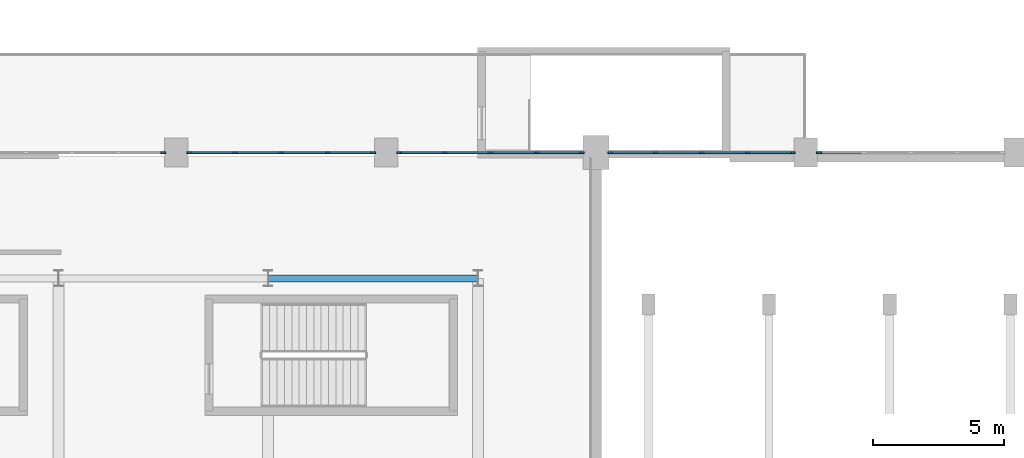
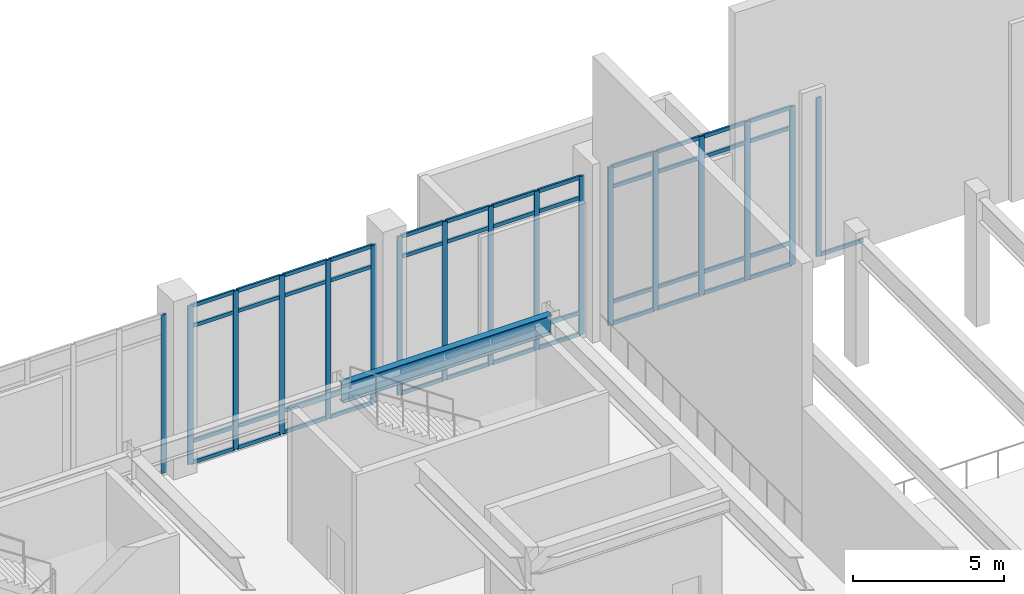
# One storey, part 41 of 84: 66 members, 1 beam, 5 elements without a shape of their own.
"""IFC4 building model written with IfcOpenShell, lengths in metres."""

import ifcopenshell
import ifcopenshell.guid

model = None  # the IFC model being written
_history = None  # IfcOwnerHistory: only IFC2X3 demands one
_inside = {}  # id of a spatial element -> (the spatial element, [elements in it])
_under = {}  # id of a project, library or spatial element -> (it, [spatial elements below it])
_declared = {}  # id of a project -> (the project, [libraries it declares])
_typed = {}  # id of a type object -> (the type object, [elements of that type])
_made_of = {}  # id of a material, layer set ... -> (it, [elements and type objects made of it])


def new_model(schema):
    """Start an empty IFC model of exactly this schema.

    Asked for "IFC4X3", IfcOpenShell would pick the latest addendum, in which some entities
    have other attributes; the version numbers below select the first issue.
    IFC2X3 requires an IfcOwnerHistory on every rooted entity: one is made here for all.
    """
    global model, _history
    if schema == "IFC4X3":
        model = ifcopenshell.file(schema_version=(4, 3, 0, 0))
    else:
        model = ifcopenshell.file(schema=schema)
    _inside.clear()
    _under.clear()
    _declared.clear()
    _typed.clear()
    _made_of.clear()
    _history = None
    if model.schema == "IFC2X3":
        org = make("IfcOrganization", Name="unknown")
        user = make(
            "IfcPersonAndOrganization",
            ThePerson=make("IfcPerson", FamilyName="unknown"),
            TheOrganization=org,
        )
        app = make(
            "IfcApplication",
            ApplicationDeveloper=org,
            Version="unknown",
            ApplicationFullName="unknown",
            ApplicationIdentifier="unknown",
        )
        _history = make(
            "IfcOwnerHistory",
            OwningUser=user,
            OwningApplication=app,
            ChangeAction="ADDED",
            CreationDate=0,
        )
    return model


def make(cls, **values):
    """One entity of the class cls with the attributes given. An attribute that is None is left unset."""
    return model.create_entity(
        cls, **{name: value for name, value in values.items() if value is not None}
    )


def rooted(cls, **values):
    """An entity with a GlobalId (a new one), such as an element, a storey or a relation."""
    return make(cls, GlobalId=ifcopenshell.guid.new(), OwnerHistory=_history, **values)


def si_unit(unit_type, name, prefix=None):
    """IfcSIUnit, for example si_unit("LENGTHUNIT", "METRE", prefix="MILLI")."""
    return make("IfcSIUnit", UnitType=unit_type, Prefix=prefix, Name=name)


def assignment(units):
    """IfcUnitAssignment: the units of a project."""
    return None if units is None else make("IfcUnitAssignment", Units=units)


def point(xyz):
    """IfcCartesianPoint."""
    return None if xyz is None else make("IfcCartesianPoint", Coordinates=xyz)


def direction(xyz):
    """IfcDirection."""
    return None if xyz is None else make("IfcDirection", DirectionRatios=xyz)


def frame(location, z_axis=None, x_axis=None):
    """IfcAxis2Placement3D, a coordinate frame: its origin and axes. An axis left out is left unset."""
    return make(
        "IfcAxis2Placement3D",
        Location=point(location),
        Axis=direction(z_axis),
        RefDirection=direction(x_axis),
    )


def frame_2d(location, x_axis=None):
    """IfcAxis2Placement2D, a coordinate frame in the plane: its origin and x axis."""
    return make(
        "IfcAxis2Placement2D", Location=point(location), RefDirection=direction(x_axis)
    )


def origin():
    """The frame at (0, 0, 0) with its axes left unset."""
    return frame((0.0, 0.0, 0.0))


def origin_2d():
    """The frame at (0, 0) in the plane with its x axis left unset."""
    return frame_2d((0.0, 0.0))


def place(relative_to, where):
    """IfcLocalPlacement: puts the frame where relative to a parent placement (None: the world)."""
    return make(
        "IfcLocalPlacement", PlacementRelTo=relative_to, RelativePlacement=where
    )


def context(
    kind, dimensions, precision=None, world=None, true_north=None, identifier=None
):
    """IfcGeometricRepresentationContext, for example the 3D "Model" context."""
    return make(
        "IfcGeometricRepresentationContext",
        ContextIdentifier=identifier,
        ContextType=kind,
        CoordinateSpaceDimension=dimensions,
        Precision=precision,
        WorldCoordinateSystem=world,
        TrueNorth=true_north,
    )


def subcontext(parent, identifier, kind, view, scale=None):
    """IfcGeometricRepresentationSubContext, for example "Body" below "Model"."""
    return make(
        "IfcGeometricRepresentationSubContext",
        ContextIdentifier=identifier,
        ContextType=kind,
        ParentContext=parent,
        TargetScale=scale,
        TargetView=view,
    )


def project(units=None, contexts=None):
    """IfcProject with its units and contexts."""
    return rooted(
        "IfcProject",
        Name="project",
        RepresentationContexts=contexts,
        UnitsInContext=assignment(units),
    )


def spatial(cls, under=None, at=None, **own):
    """A site, building, storey or space (cls), placed at a placement, below another one or the project."""
    s = rooted(cls, ObjectPlacement=at, **own)
    if under is not None:
        _under.setdefault(under.id(), (under, []))[1].append(s)
    return s


def profile(cls, at=None, kind="AREA", **sizes):
    """A parametric profile (cls). Its sizes go by their IFC names, for example OverallWidth=200.0."""
    return make(cls, ProfileType=kind, Position=at, **sizes)


def rectangle(**sizes):
    """IfcRectangleProfileDef."""
    return profile("IfcRectangleProfileDef", **sizes)


def i_section(**sizes):
    """IfcIShapeProfileDef."""
    return profile("IfcIShapeProfileDef", **sizes)


def extrude(swept, where, along, depth):
    """IfcExtrudedAreaSolid: the profile swept, set in the frame where, extruded along a direction by depth."""
    return make(
        "IfcExtrudedAreaSolid",
        SweptArea=swept,
        Position=where,
        ExtrudedDirection=direction(along),
        Depth=depth,
    )


def shape(context_of_items, identifier, shape_type, items):
    """IfcShapeRepresentation: the items that make up one representation, for example the "Body"."""
    return make(
        "IfcShapeRepresentation",
        ContextOfItems=context_of_items,
        RepresentationIdentifier=identifier,
        RepresentationType=shape_type,
        Items=items,
    )


def material(Name=None, Category=None):
    """IfcMaterial."""
    return make("IfcMaterial", Name=Name, Category=Category)


def layer(
    of_material, thickness, ventilated=None, Name=None, Category=None, Priority=None
):
    """IfcMaterialLayer: one layer of a wall or slab, of a material (None: an air gap)."""
    return make(
        "IfcMaterialLayer",
        Material=of_material,
        LayerThickness=thickness,
        IsVentilated=ventilated,
        Name=Name,
        Category=Category,
        Priority=Priority,
    )


def layer_set(layers, Name=None):
    """IfcMaterialLayerSet."""
    return make("IfcMaterialLayerSet", MaterialLayers=layers, LayerSetName=Name)


def material_profile(
    of_material, cross_section, Name=None, Category=None, Priority=None
):
    """IfcMaterialProfile: a cross section and its material."""
    return make(
        "IfcMaterialProfile",
        Name=Name,
        Material=of_material,
        Profile=cross_section,
        Priority=Priority,
        Category=Category,
    )


def profile_set(profiles, Name=None, composite=None):
    """IfcMaterialProfileSet."""
    return make(
        "IfcMaterialProfileSet",
        Name=Name,
        MaterialProfiles=profiles,
        CompositeProfile=composite,
    )


def made_of(thing, what):
    """Note that an element or type object is made of a material, layer set ...; save() writes the relation."""
    if what is not None:
        _made_of.setdefault(what.id(), (what, []))[1].append(thing)
    return thing


def type_object(cls, material=None, **own):
    """A type object (cls), such as IfcWallType, which elements share."""
    return made_of(rooted(cls, **own), material)


def element(
    cls,
    number,
    at=None,
    inside=None,
    cuts=None,
    type_object=None,
    material=None,
    context=None,
    identifier="Body",
    shape_type=None,
    held_by="IfcProductDefinitionShape",
    body=None,
    shapes=None,
    **own,
):
    """One element of the class cls, such as IfcWall. Its Tag is "e" and its number.

    at: its placement. inside: the storey or other place that contains it. cuts: it is an
    opening in that element (IfcRelVoidsElement). A single representation is given by context,
    identifier, shape_type and body (its items); several are given by shapes. held_by: the class
    of the entity that holds the representations. save() writes the other relations.
    """
    e = rooted(cls, Tag="e%d" % number, ObjectPlacement=at, **own)
    if body is not None:
        shapes = [shape(context, identifier, shape_type, body)]
    if shapes is not None:
        e.Representation = make(held_by, Representations=shapes)
    if inside is not None:
        _inside.setdefault(inside.id(), (inside, []))[1].append(e)
    if cuts is not None:
        rooted(
            "IfcRelVoidsElement", RelatingBuildingElement=cuts, RelatedOpeningElement=e
        )
    if type_object is not None:
        _typed.setdefault(type_object.id(), (type_object, []))[1].append(e)
    return made_of(e, material)


def aggregate(whole, parts):
    """IfcRelAggregates: a whole, such as a stair, and the parts it consists of."""
    return rooted("IfcRelAggregates", RelatingObject=whole, RelatedObjects=parts)


def save(model, path):
    """Write the relations noted so far, then the file.

    IfcRelAggregates (storeys below a building ...), IfcRelContainedInSpatialStructure (elements
    in a storey), IfcRelDefinesByType, IfcRelAssociatesMaterial and IfcRelDeclares: one each for
    every whole, place, type object, material and project.
    """
    for whole, parts in _under.values():
        aggregate(whole, parts)
    for where, things in _inside.values():
        rooted(
            "IfcRelContainedInSpatialStructure",
            RelatedElements=things,
            RelatingStructure=where,
        )
    for kind, things in _typed.values():
        rooted("IfcRelDefinesByType", RelatedObjects=things, RelatingType=kind)
    for what, things in _made_of.values():
        rooted("IfcRelAssociatesMaterial", RelatedObjects=things, RelatingMaterial=what)
    for by, libraries in _declared.values():
        rooted("IfcRelDeclares", RelatingContext=by, RelatedDefinitions=libraries)
    model.write(path)


model = new_model("IFC4")

# Units and contexts
model_context = context("Model", 3, precision=1e-05, world=origin(), true_north=direction((0.0, 1.0)))
body_context = subcontext(model_context, "Body", "Model", "MODEL_VIEW")
ifc_project = project(units=[si_unit("LENGTHUNIT", "METRE"), si_unit("AREAUNIT", "SQUARE_METRE"), si_unit("VOLUMEUNIT", "CUBIC_METRE"), si_unit("PLANEANGLEUNIT", "RADIAN"), si_unit("MASSUNIT", "GRAM", prefix="KILO")], contexts=[model_context])

# Site, building, storey
site_placement = place(None, origin())
site = spatial("IfcSite", under=ifc_project, at=site_placement, CompositionType="ELEMENT")
building_placement = place(site_placement, origin())
building = spatial("IfcBuilding", under=site, at=building_placement, Name="Tlacozan Convention Centre", CompositionType="ELEMENT")
storey_placement = place(building_placement, frame((0.0, 0.0, 6.0)))
storey = spatial("IfcBuildingStorey", under=building, at=storey_placement, Name="L01", CompositionType="ELEMENT", Elevation=6.0)

# Curtain wall, member
ifc_material_1 = material(Name="Dark Bronze Anodised Aluminium", Category="aluminium")
ifc_layer = layer(ifc_material_1, 0.199951171875)
ifc_layer_set = layer_set([ifc_layer], Name="Dark Bronze Anodised Aluminium")
curtain_wall_type = type_object("IfcCurtainWallType", Name="Exhibition Clerestory Curtain Wall CW10", PredefinedType="NOTDEFINED", material=ifc_layer_set)
curtain_wall_1_placement = place(storey_placement, origin())
curtain_wall_1 = element("IfcCurtainWall", 1, at=curtain_wall_1_placement, inside=storey, type_object=curtain_wall_type, Name="L01 CW-10 Run 24", PredefinedType="NOTDEFINED")
ifc_material_profile_1 = material_profile(ifc_material_1, rectangle(XDim=0.074951171875, YDim=0.199951171875, at=origin_2d()), Name="ALU 75x200")
ifc_profile_set_1 = profile_set([ifc_material_profile_1], Name="Dark Bronze Anodised Aluminium")
member_type_1 = type_object("IfcMemberType", Name="Curtain Wall Heavy Mullion 75x200", PredefinedType="MULLION", material=ifc_profile_set_1)
member_1_placement = place(storey_placement, frame((127.49755859375, 62.0, 0.0), z_axis=(0.0, 0.0, 1.0), x_axis=(0.0, 1.0, 0.0)))
member_1 = element("IfcMember", 2, at=member_1_placement, type_object=member_type_1, Name="CW-10 mullion 5", PredefinedType="MULLION", context=body_context, shape_type="SweptSolid", body=[
    extrude(rectangle(XDim=0.074951171875, YDim=0.199951171875, at=origin_2d()), origin(), (0.0, 0.0, 1.0), 6.39990234375),
])
aggregate(curtain_wall_1, [member_1])

# Curtain wall, members
curtain_wall_2_placement = place(storey_placement, origin())
curtain_wall_2 = element("IfcCurtainWall", 3, at=curtain_wall_2_placement, inside=storey, type_object=curtain_wall_type, Name="L01 CW-10 Run 25", PredefinedType="NOTDEFINED")
member_2_placement = place(storey_placement, frame((128.50244140625, 62.0, 0.0), z_axis=(0.0, 0.0, 1.0), x_axis=(0.0, 1.0, 0.0)))
member_2 = element("IfcMember", 4, at=member_2_placement, type_object=member_type_1, Name="CW-10 mullion 1", PredefinedType="MULLION", context=body_context, shape_type="SweptSolid", body=[
    extrude(rectangle(XDim=0.074951171875, YDim=0.199951171875, at=origin_2d()), origin(), (0.0, 0.0, 1.0), 6.39990234375),
])
member_3_placement = place(storey_placement, frame((130.232421875, 62.0, 0.0), z_axis=(0.0, 0.0, 1.0), x_axis=(0.0, 1.0, 0.0)))
member_3 = element("IfcMember", 5, at=member_3_placement, type_object=member_type_1, Name="CW-10 mullion 2", PredefinedType="MULLION", context=body_context, shape_type="SweptSolid", body=[
    extrude(rectangle(XDim=0.074951171875, YDim=0.199951171875, at=origin_2d()), origin(), (0.0, 0.0, 1.0), 6.39990234375),
])
member_4_placement = place(storey_placement, frame((132.0, 62.0, 0.0), z_axis=(0.0, 0.0, 1.0), x_axis=(0.0, 1.0, 0.0)))
member_4 = element("IfcMember", 6, at=member_4_placement, type_object=member_type_1, Name="CW-10 mullion 3", PredefinedType="MULLION", context=body_context, shape_type="SweptSolid", body=[
    extrude(rectangle(XDim=0.074951171875, YDim=0.199951171875, at=origin_2d()), origin(), (0.0, 0.0, 1.0), 6.39990234375),
])
member_5_placement = place(storey_placement, frame((133.767578125, 62.0, 0.0), z_axis=(0.0, 0.0, 1.0), x_axis=(0.0, 1.0, 0.0)))
member_5 = element("IfcMember", 7, at=member_5_placement, type_object=member_type_1, Name="CW-10 mullion 4", PredefinedType="MULLION", context=body_context, shape_type="SweptSolid", body=[
    extrude(rectangle(XDim=0.074951171875, YDim=0.199951171875, at=origin_2d()), origin(), (0.0, 0.0, 1.0), 6.39990234375),
])
member_6_placement = place(storey_placement, frame((135.49755859375, 62.0, 0.0), z_axis=(0.0, 0.0, 1.0), x_axis=(0.0, 1.0, 0.0)))
member_6 = element("IfcMember", 8, at=member_6_placement, type_object=member_type_1, Name="CW-10 mullion 5", PredefinedType="MULLION", context=body_context, shape_type="SweptSolid", body=[
    extrude(rectangle(XDim=0.074951171875, YDim=0.199951171875, at=origin_2d()), origin(), (0.0, 0.0, 1.0), 6.39990234375),
])

curtain_wall_3_placement = place(storey_placement, origin())
curtain_wall_3 = element("IfcCurtainWall", 9, at=curtain_wall_3_placement, inside=storey, type_object=curtain_wall_type, Name="L01 CW-10 Run 26", PredefinedType="NOTDEFINED")
member_7_placement = place(storey_placement, frame((136.50244140625, 62.0, 0.0), z_axis=(0.0, 0.0, 1.0), x_axis=(0.0, 1.0, 0.0)))
member_7 = element("IfcMember", 10, at=member_7_placement, type_object=member_type_1, Name="CW-10 mullion 1", PredefinedType="MULLION", context=body_context, shape_type="SweptSolid", body=[
    extrude(rectangle(XDim=0.074951171875, YDim=0.199951171875, at=origin_2d()), origin(), (0.0, 0.0, 1.0), 6.39990234375),
])
member_8_placement = place(storey_placement, frame((138.219970703125, 62.0, 0.0), z_axis=(0.0, 0.0, 1.0), x_axis=(0.0, 1.0, 0.0)))
member_8 = element("IfcMember", 11, at=member_8_placement, type_object=member_type_1, Name="CW-10 mullion 2", PredefinedType="MULLION", context=body_context, shape_type="SweptSolid", body=[
    extrude(rectangle(XDim=0.074951171875, YDim=0.199951171875, at=origin_2d()), origin(), (0.0, 0.0, 1.0), 6.39990234375),
])
member_9_placement = place(storey_placement, frame((139.97509765625, 62.0, 0.0), z_axis=(0.0, 0.0, 1.0), x_axis=(0.0, 1.0, 0.0)))
member_9 = element("IfcMember", 12, at=member_9_placement, type_object=member_type_1, Name="CW-10 mullion 3", PredefinedType="MULLION", context=body_context, shape_type="SweptSolid", body=[
    extrude(rectangle(XDim=0.074951171875, YDim=0.199951171875, at=origin_2d()), origin(), (0.0, 0.0, 1.0), 6.39990234375),
])
member_10_placement = place(storey_placement, frame((141.72998046875, 62.0, 0.0), z_axis=(0.0, 0.0, 1.0), x_axis=(0.0, 1.0, 0.0)))
member_10 = element("IfcMember", 13, at=member_10_placement, type_object=member_type_1, Name="CW-10 mullion 4", PredefinedType="MULLION", context=body_context, shape_type="SweptSolid", body=[
    extrude(rectangle(XDim=0.074951171875, YDim=0.199951171875, at=origin_2d()), origin(), (0.0, 0.0, 1.0), 6.39990234375),
])
member_11_placement = place(storey_placement, frame((143.447509765625, 62.0, 0.0), z_axis=(0.0, 0.0, 1.0), x_axis=(0.0, 1.0, 0.0)))
member_11 = element("IfcMember", 14, at=member_11_placement, type_object=member_type_1, Name="CW-10 mullion 5", PredefinedType="MULLION", context=body_context, shape_type="SweptSolid", body=[
    extrude(rectangle(XDim=0.074951171875, YDim=0.199951171875, at=origin_2d()), origin(), (0.0, 0.0, 1.0), 6.39990234375),
])

curtain_wall_4_placement = place(storey_placement, origin())
curtain_wall_4 = element("IfcCurtainWall", 15, at=curtain_wall_4_placement, inside=storey, type_object=curtain_wall_type, Name="L01 CW-10 Run 27", PredefinedType="NOTDEFINED")
member_12_placement = place(storey_placement, frame((144.552490234375, 62.0, 0.0), z_axis=(0.0, 0.0, 1.0), x_axis=(0.0, 1.0, 0.0)))
member_12 = element("IfcMember", 16, at=member_12_placement, type_object=member_type_1, Name="CW-10 mullion 1", PredefinedType="MULLION", context=body_context, shape_type="SweptSolid", body=[
    extrude(rectangle(XDim=0.074951171875, YDim=0.199951171875, at=origin_2d()), origin(), (0.0, 0.0, 1.0), 6.39990234375),
])
member_13_placement = place(storey_placement, frame((146.27001953125, 62.0, 0.0), z_axis=(0.0, 0.0, 1.0), x_axis=(0.0, 1.0, 0.0)))
member_13 = element("IfcMember", 17, at=member_13_placement, type_object=member_type_1, Name="CW-10 mullion 2", PredefinedType="MULLION", context=body_context, shape_type="SweptSolid", body=[
    extrude(rectangle(XDim=0.074951171875, YDim=0.199951171875, at=origin_2d()), origin(), (0.0, 0.0, 1.0), 6.39990234375),
])
member_14_placement = place(storey_placement, frame((148.02490234375, 62.0, 0.0), z_axis=(0.0, 0.0, 1.0), x_axis=(0.0, 1.0, 0.0)))
member_14 = element("IfcMember", 18, at=member_14_placement, type_object=member_type_1, Name="CW-10 mullion 3", PredefinedType="MULLION", context=body_context, shape_type="SweptSolid", body=[
    extrude(rectangle(XDim=0.074951171875, YDim=0.199951171875, at=origin_2d()), origin(), (0.0, 0.0, 1.0), 6.39990234375),
])
member_15_placement = place(storey_placement, frame((149.780029296875, 62.0, 0.0), z_axis=(0.0, 0.0, 1.0), x_axis=(0.0, 1.0, 0.0)))
member_15 = element("IfcMember", 19, at=member_15_placement, type_object=member_type_1, Name="CW-10 mullion 4", PredefinedType="MULLION", context=body_context, shape_type="SweptSolid", body=[
    extrude(rectangle(XDim=0.074951171875, YDim=0.199951171875, at=origin_2d()), origin(), (0.0, 0.0, 1.0), 6.39990234375),
])
member_16_placement = place(storey_placement, frame((151.49755859375, 62.0, 0.0), z_axis=(0.0, 0.0, 1.0), x_axis=(0.0, 1.0, 0.0)))
member_16 = element("IfcMember", 20, at=member_16_placement, type_object=member_type_1, Name="CW-10 mullion 5", PredefinedType="MULLION", context=body_context, shape_type="SweptSolid", body=[
    extrude(rectangle(XDim=0.074951171875, YDim=0.199951171875, at=origin_2d()), origin(), (0.0, 0.0, 1.0), 6.39990234375),
])

# Curtain wall, member
curtain_wall_5_placement = place(storey_placement, origin())
curtain_wall_5 = element("IfcCurtainWall", 21, at=curtain_wall_5_placement, inside=storey, type_object=curtain_wall_type, Name="L01 CW-10 Run 28", PredefinedType="NOTDEFINED")
member_17_placement = place(storey_placement, frame((152.50244140625, 62.0, 0.0), z_axis=(0.0, 0.0, 1.0), x_axis=(0.0, 1.0, 0.0)))
member_17 = element("IfcMember", 22, at=member_17_placement, type_object=member_type_1, Name="CW-10 mullion 1", PredefinedType="MULLION", context=body_context, shape_type="SweptSolid", body=[
    extrude(rectangle(XDim=0.074951171875, YDim=0.199951171875, at=origin_2d()), origin(), (0.0, 0.0, 1.0), 6.39990234375),
])

# Member
ifc_material_profile_2 = material_profile(ifc_material_1, rectangle(XDim=0.074951171875, YDim=0.14990234375, at=origin_2d()), Name="ALU 75x150")
ifc_profile_set_2 = profile_set([ifc_material_profile_2], Name="Dark Bronze Anodised Aluminium")
member_type_2 = type_object("IfcMemberType", Name="Curtain Wall Heavy Transom 75x150", PredefinedType="USERDEFINED", material=ifc_profile_set_2)
member_18_placement = place(storey_placement, frame((128.5400390625, 62.0, 0.03759765625), z_axis=(1.0, 0.0, 0.0), x_axis=(0.0, 1.0, 0.0)))
member_18 = element("IfcMember", 23, at=member_18_placement, type_object=member_type_2, Name="CW-10 transom 1.1", ObjectType="TRANSOM", PredefinedType="USERDEFINED", context=body_context, shape_type="SweptSolid", body=[
    extrude(rectangle(XDim=0.074951171875, YDim=0.14990234375, at=origin_2d()), origin(), (0.0, 0.0, 1.0), 1.655029296875),
])

member_19_placement = place(storey_placement, frame((128.5400390625, 62.0, 0.89990234375), z_axis=(1.0, 0.0, 0.0), x_axis=(0.0, 1.0, 0.0)))
member_19 = element("IfcMember", 24, at=member_19_placement, type_object=member_type_2, Name="CW-10 transom 1.2", ObjectType="TRANSOM", PredefinedType="USERDEFINED", context=body_context, shape_type="SweptSolid", body=[
    extrude(rectangle(XDim=0.074951171875, YDim=0.14990234375, at=origin_2d()), origin(), (0.0, 0.0, 1.0), 1.655029296875),
])

member_20_placement = place(storey_placement, frame((128.5400390625, 62.0, 5.550048828125), z_axis=(1.0, 0.0, 0.0), x_axis=(0.0, 1.0, 0.0)))
member_20 = element("IfcMember", 25, at=member_20_placement, type_object=member_type_2, Name="CW-10 transom 1.3", ObjectType="TRANSOM", PredefinedType="USERDEFINED", context=body_context, shape_type="SweptSolid", body=[
    extrude(rectangle(XDim=0.074951171875, YDim=0.14990234375, at=origin_2d()), origin(), (0.0, 0.0, 1.0), 1.655029296875),
])

member_21_placement = place(storey_placement, frame((128.5400390625, 62.0, 6.362548828125), z_axis=(1.0, 0.0, 0.0), x_axis=(0.0, 1.0, 0.0)))
member_21 = element("IfcMember", 26, at=member_21_placement, type_object=member_type_2, Name="CW-10 transom 1.4", ObjectType="TRANSOM", PredefinedType="USERDEFINED", context=body_context, shape_type="SweptSolid", body=[
    extrude(rectangle(XDim=0.074951171875, YDim=0.14990234375, at=origin_2d()), origin(), (0.0, 0.0, 1.0), 1.655029296875),
])

member_22_placement = place(storey_placement, frame((130.27001953125, 62.0, 0.03759765625), z_axis=(1.0, 0.0, 0.0), x_axis=(0.0, 1.0, 0.0)))
member_22 = element("IfcMember", 27, at=member_22_placement, type_object=member_type_2, Name="CW-10 transom 2.1", ObjectType="TRANSOM", PredefinedType="USERDEFINED", context=body_context, shape_type="SweptSolid", body=[
    extrude(rectangle(XDim=0.074951171875, YDim=0.14990234375, at=origin_2d()), origin(), (0.0, 0.0, 1.0), 1.6923828125),
])

member_23_placement = place(storey_placement, frame((130.27001953125, 62.0, 0.89990234375), z_axis=(1.0, 0.0, 0.0), x_axis=(0.0, 1.0, 0.0)))
member_23 = element("IfcMember", 28, at=member_23_placement, type_object=member_type_2, Name="CW-10 transom 2.2", ObjectType="TRANSOM", PredefinedType="USERDEFINED", context=body_context, shape_type="SweptSolid", body=[
    extrude(rectangle(XDim=0.074951171875, YDim=0.14990234375, at=origin_2d()), origin(), (0.0, 0.0, 1.0), 1.6923828125),
])

member_24_placement = place(storey_placement, frame((130.27001953125, 62.0, 5.550048828125), z_axis=(1.0, 0.0, 0.0), x_axis=(0.0, 1.0, 0.0)))
member_24 = element("IfcMember", 29, at=member_24_placement, type_object=member_type_2, Name="CW-10 transom 2.3", ObjectType="TRANSOM", PredefinedType="USERDEFINED", context=body_context, shape_type="SweptSolid", body=[
    extrude(rectangle(XDim=0.074951171875, YDim=0.14990234375, at=origin_2d()), origin(), (0.0, 0.0, 1.0), 1.6923828125),
])

member_25_placement = place(storey_placement, frame((130.27001953125, 62.0, 6.362548828125), z_axis=(1.0, 0.0, 0.0), x_axis=(0.0, 1.0, 0.0)))
member_25 = element("IfcMember", 30, at=member_25_placement, type_object=member_type_2, Name="CW-10 transom 2.4", ObjectType="TRANSOM", PredefinedType="USERDEFINED", context=body_context, shape_type="SweptSolid", body=[
    extrude(rectangle(XDim=0.074951171875, YDim=0.14990234375, at=origin_2d()), origin(), (0.0, 0.0, 1.0), 1.6923828125),
])

member_26_placement = place(storey_placement, frame((132.03759765625, 62.0, 0.03759765625), z_axis=(1.0, 0.0, 0.0), x_axis=(0.0, 1.0, 0.0)))
member_26 = element("IfcMember", 31, at=member_26_placement, type_object=member_type_2, Name="CW-10 transom 3.1", ObjectType="TRANSOM", PredefinedType="USERDEFINED", context=body_context, shape_type="SweptSolid", body=[
    extrude(rectangle(XDim=0.074951171875, YDim=0.14990234375, at=origin_2d()), origin(), (0.0, 0.0, 1.0), 1.6923828125),
])

member_27_placement = place(storey_placement, frame((132.03759765625, 62.0, 0.89990234375), z_axis=(1.0, 0.0, 0.0), x_axis=(0.0, 1.0, 0.0)))
member_27 = element("IfcMember", 32, at=member_27_placement, type_object=member_type_2, Name="CW-10 transom 3.2", ObjectType="TRANSOM", PredefinedType="USERDEFINED", context=body_context, shape_type="SweptSolid", body=[
    extrude(rectangle(XDim=0.074951171875, YDim=0.14990234375, at=origin_2d()), origin(), (0.0, 0.0, 1.0), 1.6923828125),
])

member_28_placement = place(storey_placement, frame((132.03759765625, 62.0, 5.550048828125), z_axis=(1.0, 0.0, 0.0), x_axis=(0.0, 1.0, 0.0)))
member_28 = element("IfcMember", 33, at=member_28_placement, type_object=member_type_2, Name="CW-10 transom 3.3", ObjectType="TRANSOM", PredefinedType="USERDEFINED", context=body_context, shape_type="SweptSolid", body=[
    extrude(rectangle(XDim=0.074951171875, YDim=0.14990234375, at=origin_2d()), origin(), (0.0, 0.0, 1.0), 1.6923828125),
])

member_29_placement = place(storey_placement, frame((132.03759765625, 62.0, 6.362548828125), z_axis=(1.0, 0.0, 0.0), x_axis=(0.0, 1.0, 0.0)))
member_29 = element("IfcMember", 34, at=member_29_placement, type_object=member_type_2, Name="CW-10 transom 3.4", ObjectType="TRANSOM", PredefinedType="USERDEFINED", context=body_context, shape_type="SweptSolid", body=[
    extrude(rectangle(XDim=0.074951171875, YDim=0.14990234375, at=origin_2d()), origin(), (0.0, 0.0, 1.0), 1.6923828125),
])

member_30_placement = place(storey_placement, frame((133.804931640625, 62.0, 0.03759765625), z_axis=(1.0, 0.0, 0.0), x_axis=(0.0, 1.0, 0.0)))
member_30 = element("IfcMember", 35, at=member_30_placement, type_object=member_type_2, Name="CW-10 transom 4.1", ObjectType="TRANSOM", PredefinedType="USERDEFINED", context=body_context, shape_type="SweptSolid", body=[
    extrude(rectangle(XDim=0.074951171875, YDim=0.14990234375, at=origin_2d()), origin(), (0.0, 0.0, 1.0), 1.655029296875),
])

member_31_placement = place(storey_placement, frame((133.804931640625, 62.0, 0.89990234375), z_axis=(1.0, 0.0, 0.0), x_axis=(0.0, 1.0, 0.0)))
member_31 = element("IfcMember", 36, at=member_31_placement, type_object=member_type_2, Name="CW-10 transom 4.2", ObjectType="TRANSOM", PredefinedType="USERDEFINED", context=body_context, shape_type="SweptSolid", body=[
    extrude(rectangle(XDim=0.074951171875, YDim=0.14990234375, at=origin_2d()), origin(), (0.0, 0.0, 1.0), 1.655029296875),
])

member_32_placement = place(storey_placement, frame((133.804931640625, 62.0, 5.550048828125), z_axis=(1.0, 0.0, 0.0), x_axis=(0.0, 1.0, 0.0)))
member_32 = element("IfcMember", 37, at=member_32_placement, type_object=member_type_2, Name="CW-10 transom 4.3", ObjectType="TRANSOM", PredefinedType="USERDEFINED", context=body_context, shape_type="SweptSolid", body=[
    extrude(rectangle(XDim=0.074951171875, YDim=0.14990234375, at=origin_2d()), origin(), (0.0, 0.0, 1.0), 1.655029296875),
])

member_33_placement = place(storey_placement, frame((133.804931640625, 62.0, 6.362548828125), z_axis=(1.0, 0.0, 0.0), x_axis=(0.0, 1.0, 0.0)))
member_33 = element("IfcMember", 38, at=member_33_placement, type_object=member_type_2, Name="CW-10 transom 4.4", ObjectType="TRANSOM", PredefinedType="USERDEFINED", context=body_context, shape_type="SweptSolid", body=[
    extrude(rectangle(XDim=0.074951171875, YDim=0.14990234375, at=origin_2d()), origin(), (0.0, 0.0, 1.0), 1.655029296875),
])

aggregate(curtain_wall_2, [member_2, member_3, member_4, member_5, member_6, member_18, member_19, member_20, member_21, member_22, member_23, member_24, member_25, member_26, member_27, member_28, member_29, member_30, member_31, member_32, member_33])

member_34_placement = place(storey_placement, frame((136.5400390625, 62.0, 0.03759765625), z_axis=(1.0, 0.0, 0.0), x_axis=(0.0, 1.0, 0.0)))
member_34 = element("IfcMember", 39, at=member_34_placement, type_object=member_type_2, Name="CW-10 transom 1.1", ObjectType="TRANSOM", PredefinedType="USERDEFINED", context=body_context, shape_type="SweptSolid", body=[
    extrude(rectangle(XDim=0.074951171875, YDim=0.14990234375, at=origin_2d()), origin(), (0.0, 0.0, 1.0), 1.642578125),
])

member_35_placement = place(storey_placement, frame((136.5400390625, 62.0, 0.89990234375), z_axis=(1.0, 0.0, 0.0), x_axis=(0.0, 1.0, 0.0)))
member_35 = element("IfcMember", 40, at=member_35_placement, type_object=member_type_2, Name="CW-10 transom 1.2", ObjectType="TRANSOM", PredefinedType="USERDEFINED", context=body_context, shape_type="SweptSolid", body=[
    extrude(rectangle(XDim=0.074951171875, YDim=0.14990234375, at=origin_2d()), origin(), (0.0, 0.0, 1.0), 1.642578125),
])

member_36_placement = place(storey_placement, frame((136.5400390625, 62.0, 5.550048828125), z_axis=(1.0, 0.0, 0.0), x_axis=(0.0, 1.0, 0.0)))
member_36 = element("IfcMember", 41, at=member_36_placement, type_object=member_type_2, Name="CW-10 transom 1.3", ObjectType="TRANSOM", PredefinedType="USERDEFINED", context=body_context, shape_type="SweptSolid", body=[
    extrude(rectangle(XDim=0.074951171875, YDim=0.14990234375, at=origin_2d()), origin(), (0.0, 0.0, 1.0), 1.642578125),
])

member_37_placement = place(storey_placement, frame((136.5400390625, 62.0, 6.362548828125), z_axis=(1.0, 0.0, 0.0), x_axis=(0.0, 1.0, 0.0)))
member_37 = element("IfcMember", 42, at=member_37_placement, type_object=member_type_2, Name="CW-10 transom 1.4", ObjectType="TRANSOM", PredefinedType="USERDEFINED", context=body_context, shape_type="SweptSolid", body=[
    extrude(rectangle(XDim=0.074951171875, YDim=0.14990234375, at=origin_2d()), origin(), (0.0, 0.0, 1.0), 1.642578125),
])

member_38_placement = place(storey_placement, frame((138.257568359375, 62.0, 0.03759765625), z_axis=(1.0, 0.0, 0.0), x_axis=(0.0, 1.0, 0.0)))
member_38 = element("IfcMember", 43, at=member_38_placement, type_object=member_type_2, Name="CW-10 transom 2.1", ObjectType="TRANSOM", PredefinedType="USERDEFINED", context=body_context, shape_type="SweptSolid", body=[
    extrude(rectangle(XDim=0.074951171875, YDim=0.14990234375, at=origin_2d()), origin(), (0.0, 0.0, 1.0), 1.679931640625),
])

member_39_placement = place(storey_placement, frame((138.257568359375, 62.0, 0.89990234375), z_axis=(1.0, 0.0, 0.0), x_axis=(0.0, 1.0, 0.0)))
member_39 = element("IfcMember", 44, at=member_39_placement, type_object=member_type_2, Name="CW-10 transom 2.2", ObjectType="TRANSOM", PredefinedType="USERDEFINED", context=body_context, shape_type="SweptSolid", body=[
    extrude(rectangle(XDim=0.074951171875, YDim=0.14990234375, at=origin_2d()), origin(), (0.0, 0.0, 1.0), 1.679931640625),
])

member_40_placement = place(storey_placement, frame((138.257568359375, 62.0, 5.550048828125), z_axis=(1.0, 0.0, 0.0), x_axis=(0.0, 1.0, 0.0)))
member_40 = element("IfcMember", 45, at=member_40_placement, type_object=member_type_2, Name="CW-10 transom 2.3", ObjectType="TRANSOM", PredefinedType="USERDEFINED", context=body_context, shape_type="SweptSolid", body=[
    extrude(rectangle(XDim=0.074951171875, YDim=0.14990234375, at=origin_2d()), origin(), (0.0, 0.0, 1.0), 1.679931640625),
])

member_41_placement = place(storey_placement, frame((138.257568359375, 62.0, 6.362548828125), z_axis=(1.0, 0.0, 0.0), x_axis=(0.0, 1.0, 0.0)))
member_41 = element("IfcMember", 46, at=member_41_placement, type_object=member_type_2, Name="CW-10 transom 2.4", ObjectType="TRANSOM", PredefinedType="USERDEFINED", context=body_context, shape_type="SweptSolid", body=[
    extrude(rectangle(XDim=0.074951171875, YDim=0.14990234375, at=origin_2d()), origin(), (0.0, 0.0, 1.0), 1.679931640625),
])

member_42_placement = place(storey_placement, frame((140.012451171875, 62.0, 0.03759765625), z_axis=(1.0, 0.0, 0.0), x_axis=(0.0, 1.0, 0.0)))
member_42 = element("IfcMember", 47, at=member_42_placement, type_object=member_type_2, Name="CW-10 transom 3.1", ObjectType="TRANSOM", PredefinedType="USERDEFINED", context=body_context, shape_type="SweptSolid", body=[
    extrude(rectangle(XDim=0.074951171875, YDim=0.14990234375, at=origin_2d()), origin(), (0.0, 0.0, 1.0), 1.679931640625),
])

member_43_placement = place(storey_placement, frame((140.012451171875, 62.0, 0.89990234375), z_axis=(1.0, 0.0, 0.0), x_axis=(0.0, 1.0, 0.0)))
member_43 = element("IfcMember", 48, at=member_43_placement, type_object=member_type_2, Name="CW-10 transom 3.2", ObjectType="TRANSOM", PredefinedType="USERDEFINED", context=body_context, shape_type="SweptSolid", body=[
    extrude(rectangle(XDim=0.074951171875, YDim=0.14990234375, at=origin_2d()), origin(), (0.0, 0.0, 1.0), 1.679931640625),
])

member_44_placement = place(storey_placement, frame((140.012451171875, 62.0, 5.550048828125), z_axis=(1.0, 0.0, 0.0), x_axis=(0.0, 1.0, 0.0)))
member_44 = element("IfcMember", 49, at=member_44_placement, type_object=member_type_2, Name="CW-10 transom 3.3", ObjectType="TRANSOM", PredefinedType="USERDEFINED", context=body_context, shape_type="SweptSolid", body=[
    extrude(rectangle(XDim=0.074951171875, YDim=0.14990234375, at=origin_2d()), origin(), (0.0, 0.0, 1.0), 1.679931640625),
])

member_45_placement = place(storey_placement, frame((140.012451171875, 62.0, 6.362548828125), z_axis=(1.0, 0.0, 0.0), x_axis=(0.0, 1.0, 0.0)))
member_45 = element("IfcMember", 50, at=member_45_placement, type_object=member_type_2, Name="CW-10 transom 3.4", ObjectType="TRANSOM", PredefinedType="USERDEFINED", context=body_context, shape_type="SweptSolid", body=[
    extrude(rectangle(XDim=0.074951171875, YDim=0.14990234375, at=origin_2d()), origin(), (0.0, 0.0, 1.0), 1.679931640625),
])

member_46_placement = place(storey_placement, frame((141.767578125, 62.0, 0.03759765625), z_axis=(1.0, 0.0, 0.0), x_axis=(0.0, 1.0, 0.0)))
member_46 = element("IfcMember", 51, at=member_46_placement, type_object=member_type_2, Name="CW-10 transom 4.1", ObjectType="TRANSOM", PredefinedType="USERDEFINED", context=body_context, shape_type="SweptSolid", body=[
    extrude(rectangle(XDim=0.074951171875, YDim=0.14990234375, at=origin_2d()), origin(), (0.0, 0.0, 1.0), 1.642333984375),
])

member_47_placement = place(storey_placement, frame((141.767578125, 62.0, 0.89990234375), z_axis=(1.0, 0.0, 0.0), x_axis=(0.0, 1.0, 0.0)))
member_47 = element("IfcMember", 52, at=member_47_placement, type_object=member_type_2, Name="CW-10 transom 4.2", ObjectType="TRANSOM", PredefinedType="USERDEFINED", context=body_context, shape_type="SweptSolid", body=[
    extrude(rectangle(XDim=0.074951171875, YDim=0.14990234375, at=origin_2d()), origin(), (0.0, 0.0, 1.0), 1.642333984375),
])

member_48_placement = place(storey_placement, frame((141.767578125, 62.0, 5.550048828125), z_axis=(1.0, 0.0, 0.0), x_axis=(0.0, 1.0, 0.0)))
member_48 = element("IfcMember", 53, at=member_48_placement, type_object=member_type_2, Name="CW-10 transom 4.3", ObjectType="TRANSOM", PredefinedType="USERDEFINED", context=body_context, shape_type="SweptSolid", body=[
    extrude(rectangle(XDim=0.074951171875, YDim=0.14990234375, at=origin_2d()), origin(), (0.0, 0.0, 1.0), 1.642333984375),
])

member_49_placement = place(storey_placement, frame((141.767578125, 62.0, 6.362548828125), z_axis=(1.0, 0.0, 0.0), x_axis=(0.0, 1.0, 0.0)))
member_49 = element("IfcMember", 54, at=member_49_placement, type_object=member_type_2, Name="CW-10 transom 4.4", ObjectType="TRANSOM", PredefinedType="USERDEFINED", context=body_context, shape_type="SweptSolid", body=[
    extrude(rectangle(XDim=0.074951171875, YDim=0.14990234375, at=origin_2d()), origin(), (0.0, 0.0, 1.0), 1.642333984375),
])

aggregate(curtain_wall_3, [member_7, member_8, member_9, member_10, member_11, member_34, member_35, member_36, member_37, member_38, member_39, member_40, member_41, member_42, member_43, member_44, member_45, member_46, member_47, member_48, member_49])

member_50_placement = place(storey_placement, frame((144.590087890625, 62.0, 0.03759765625), z_axis=(1.0, 0.0, 0.0), x_axis=(0.0, 1.0, 0.0)))
member_50 = element("IfcMember", 55, at=member_50_placement, type_object=member_type_2, Name="CW-10 transom 1.1", ObjectType="TRANSOM", PredefinedType="USERDEFINED", context=body_context, shape_type="SweptSolid", body=[
    extrude(rectangle(XDim=0.074951171875, YDim=0.14990234375, at=origin_2d()), origin(), (0.0, 0.0, 1.0), 1.642333984375),
])

member_51_placement = place(storey_placement, frame((144.590087890625, 62.0, 0.89990234375), z_axis=(1.0, 0.0, 0.0), x_axis=(0.0, 1.0, 0.0)))
member_51 = element("IfcMember", 56, at=member_51_placement, type_object=member_type_2, Name="CW-10 transom 1.2", ObjectType="TRANSOM", PredefinedType="USERDEFINED", context=body_context, shape_type="SweptSolid", body=[
    extrude(rectangle(XDim=0.074951171875, YDim=0.14990234375, at=origin_2d()), origin(), (0.0, 0.0, 1.0), 1.642333984375),
])

member_52_placement = place(storey_placement, frame((144.590087890625, 62.0, 5.550048828125), z_axis=(1.0, 0.0, 0.0), x_axis=(0.0, 1.0, 0.0)))
member_52 = element("IfcMember", 57, at=member_52_placement, type_object=member_type_2, Name="CW-10 transom 1.3", ObjectType="TRANSOM", PredefinedType="USERDEFINED", context=body_context, shape_type="SweptSolid", body=[
    extrude(rectangle(XDim=0.074951171875, YDim=0.14990234375, at=origin_2d()), origin(), (0.0, 0.0, 1.0), 1.642333984375),
])

member_53_placement = place(storey_placement, frame((144.590087890625, 62.0, 6.362548828125), z_axis=(1.0, 0.0, 0.0), x_axis=(0.0, 1.0, 0.0)))
member_53 = element("IfcMember", 58, at=member_53_placement, type_object=member_type_2, Name="CW-10 transom 1.4", ObjectType="TRANSOM", PredefinedType="USERDEFINED", context=body_context, shape_type="SweptSolid", body=[
    extrude(rectangle(XDim=0.074951171875, YDim=0.14990234375, at=origin_2d()), origin(), (0.0, 0.0, 1.0), 1.642333984375),
])

member_54_placement = place(storey_placement, frame((146.3076171875, 62.0, 0.03759765625), z_axis=(1.0, 0.0, 0.0), x_axis=(0.0, 1.0, 0.0)))
member_54 = element("IfcMember", 59, at=member_54_placement, type_object=member_type_2, Name="CW-10 transom 2.1", ObjectType="TRANSOM", PredefinedType="USERDEFINED", context=body_context, shape_type="SweptSolid", body=[
    extrude(rectangle(XDim=0.074951171875, YDim=0.14990234375, at=origin_2d()), origin(), (0.0, 0.0, 1.0), 1.679931640625),
])

member_55_placement = place(storey_placement, frame((146.3076171875, 62.0, 0.89990234375), z_axis=(1.0, 0.0, 0.0), x_axis=(0.0, 1.0, 0.0)))
member_55 = element("IfcMember", 60, at=member_55_placement, type_object=member_type_2, Name="CW-10 transom 2.2", ObjectType="TRANSOM", PredefinedType="USERDEFINED", context=body_context, shape_type="SweptSolid", body=[
    extrude(rectangle(XDim=0.074951171875, YDim=0.14990234375, at=origin_2d()), origin(), (0.0, 0.0, 1.0), 1.679931640625),
])

member_56_placement = place(storey_placement, frame((146.3076171875, 62.0, 5.550048828125), z_axis=(1.0, 0.0, 0.0), x_axis=(0.0, 1.0, 0.0)))
member_56 = element("IfcMember", 61, at=member_56_placement, type_object=member_type_2, Name="CW-10 transom 2.3", ObjectType="TRANSOM", PredefinedType="USERDEFINED", context=body_context, shape_type="SweptSolid", body=[
    extrude(rectangle(XDim=0.074951171875, YDim=0.14990234375, at=origin_2d()), origin(), (0.0, 0.0, 1.0), 1.679931640625),
])

member_57_placement = place(storey_placement, frame((146.3076171875, 62.0, 6.362548828125), z_axis=(1.0, 0.0, 0.0), x_axis=(0.0, 1.0, 0.0)))
member_57 = element("IfcMember", 62, at=member_57_placement, type_object=member_type_2, Name="CW-10 transom 2.4", ObjectType="TRANSOM", PredefinedType="USERDEFINED", context=body_context, shape_type="SweptSolid", body=[
    extrude(rectangle(XDim=0.074951171875, YDim=0.14990234375, at=origin_2d()), origin(), (0.0, 0.0, 1.0), 1.679931640625),
])

member_58_placement = place(storey_placement, frame((148.0625, 62.0, 0.03759765625), z_axis=(1.0, 0.0, 0.0), x_axis=(0.0, 1.0, 0.0)))
member_58 = element("IfcMember", 63, at=member_58_placement, type_object=member_type_2, Name="CW-10 transom 3.1", ObjectType="TRANSOM", PredefinedType="USERDEFINED", context=body_context, shape_type="SweptSolid", body=[
    extrude(rectangle(XDim=0.074951171875, YDim=0.14990234375, at=origin_2d()), origin(), (0.0, 0.0, 1.0), 1.679931640625),
])

member_59_placement = place(storey_placement, frame((148.0625, 62.0, 0.89990234375), z_axis=(1.0, 0.0, 0.0), x_axis=(0.0, 1.0, 0.0)))
member_59 = element("IfcMember", 64, at=member_59_placement, type_object=member_type_2, Name="CW-10 transom 3.2", ObjectType="TRANSOM", PredefinedType="USERDEFINED", context=body_context, shape_type="SweptSolid", body=[
    extrude(rectangle(XDim=0.074951171875, YDim=0.14990234375, at=origin_2d()), origin(), (0.0, 0.0, 1.0), 1.679931640625),
])

member_60_placement = place(storey_placement, frame((148.0625, 62.0, 5.550048828125), z_axis=(1.0, 0.0, 0.0), x_axis=(0.0, 1.0, 0.0)))
member_60 = element("IfcMember", 65, at=member_60_placement, type_object=member_type_2, Name="CW-10 transom 3.3", ObjectType="TRANSOM", PredefinedType="USERDEFINED", context=body_context, shape_type="SweptSolid", body=[
    extrude(rectangle(XDim=0.074951171875, YDim=0.14990234375, at=origin_2d()), origin(), (0.0, 0.0, 1.0), 1.679931640625),
])

member_61_placement = place(storey_placement, frame((148.0625, 62.0, 6.362548828125), z_axis=(1.0, 0.0, 0.0), x_axis=(0.0, 1.0, 0.0)))
member_61 = element("IfcMember", 66, at=member_61_placement, type_object=member_type_2, Name="CW-10 transom 3.4", ObjectType="TRANSOM", PredefinedType="USERDEFINED", context=body_context, shape_type="SweptSolid", body=[
    extrude(rectangle(XDim=0.074951171875, YDim=0.14990234375, at=origin_2d()), origin(), (0.0, 0.0, 1.0), 1.679931640625),
])

member_62_placement = place(storey_placement, frame((149.8173828125, 62.0, 0.03759765625), z_axis=(1.0, 0.0, 0.0), x_axis=(0.0, 1.0, 0.0)))
member_62 = element("IfcMember", 67, at=member_62_placement, type_object=member_type_2, Name="CW-10 transom 4.1", ObjectType="TRANSOM", PredefinedType="USERDEFINED", context=body_context, shape_type="SweptSolid", body=[
    extrude(rectangle(XDim=0.074951171875, YDim=0.14990234375, at=origin_2d()), origin(), (0.0, 0.0, 1.0), 1.642578125),
])

member_63_placement = place(storey_placement, frame((149.8173828125, 62.0, 0.89990234375), z_axis=(1.0, 0.0, 0.0), x_axis=(0.0, 1.0, 0.0)))
member_63 = element("IfcMember", 68, at=member_63_placement, type_object=member_type_2, Name="CW-10 transom 4.2", ObjectType="TRANSOM", PredefinedType="USERDEFINED", context=body_context, shape_type="SweptSolid", body=[
    extrude(rectangle(XDim=0.074951171875, YDim=0.14990234375, at=origin_2d()), origin(), (0.0, 0.0, 1.0), 1.642578125),
])

member_64_placement = place(storey_placement, frame((149.8173828125, 62.0, 5.550048828125), z_axis=(1.0, 0.0, 0.0), x_axis=(0.0, 1.0, 0.0)))
member_64 = element("IfcMember", 69, at=member_64_placement, type_object=member_type_2, Name="CW-10 transom 4.3", ObjectType="TRANSOM", PredefinedType="USERDEFINED", context=body_context, shape_type="SweptSolid", body=[
    extrude(rectangle(XDim=0.074951171875, YDim=0.14990234375, at=origin_2d()), origin(), (0.0, 0.0, 1.0), 1.642578125),
])

member_65_placement = place(storey_placement, frame((149.8173828125, 62.0, 6.362548828125), z_axis=(1.0, 0.0, 0.0), x_axis=(0.0, 1.0, 0.0)))
member_65 = element("IfcMember", 70, at=member_65_placement, type_object=member_type_2, Name="CW-10 transom 4.4", ObjectType="TRANSOM", PredefinedType="USERDEFINED", context=body_context, shape_type="SweptSolid", body=[
    extrude(rectangle(XDim=0.074951171875, YDim=0.14990234375, at=origin_2d()), origin(), (0.0, 0.0, 1.0), 1.642578125),
])

aggregate(curtain_wall_4, [member_12, member_13, member_14, member_15, member_16, member_50, member_51, member_52, member_53, member_54, member_55, member_56, member_57, member_58, member_59, member_60, member_61, member_62, member_63, member_64, member_65])

member_66_placement = place(storey_placement, frame((152.5400390625, 62.0, 0.03759765625), z_axis=(1.0, 0.0, 0.0), x_axis=(0.0, 1.0, 0.0)))
member_66 = element("IfcMember", 71, at=member_66_placement, type_object=member_type_2, Name="CW-10 transom 1.1", ObjectType="TRANSOM", PredefinedType="USERDEFINED", context=body_context, shape_type="SweptSolid", body=[
    extrude(rectangle(XDim=0.074951171875, YDim=0.14990234375, at=origin_2d()), origin(), (0.0, 0.0, 1.0), 1.655029296875),
])

aggregate(curtain_wall_5, [member_17, member_66])

# Beam
ifc_material_2 = material(Name="Steel ASTM A992 Grade 50", Category="steel")
ifc_material_profile_3 = material_profile(ifc_material_2, i_section(OverallWidth=0.26806640625, OverallDepth=0.77001953125, WebThickness=0.015625, FlangeThickness=0.025390625, FilletRadius=0.01708984375, at=origin_2d()), Name="IR 762x196.0")
ifc_profile_set_3 = profile_set([ifc_material_profile_3], Name="Steel ASTM A992 Grade 50")
beam_type = type_object("IfcBeamType", Name="Girder Steel IR 762x196", PredefinedType="BEAM", material=ifc_profile_set_3)
beam_placement = place(storey_placement, frame((131.5, 57.199951171875, 4.7548828125), z_axis=(1.0, 0.0, 0.0), x_axis=(0.0, 1.0, 0.0)))
element("IfcBeam", 72, at=beam_placement, inside=storey, type_object=beam_type, Name="L01 Girder Steel IR 762x196 1467", PredefinedType="BEAM", context=body_context, shape_type="SweptSolid", body=[
    extrude(i_section(OverallWidth=0.26806640625, OverallDepth=0.77001953125, WebThickness=0.015625, FlangeThickness=0.025390625, FilletRadius=0.01708984375, at=origin_2d()), origin(), (0.0, 0.0, 1.0), 8.0),
])

save(model, "model.ifc")
